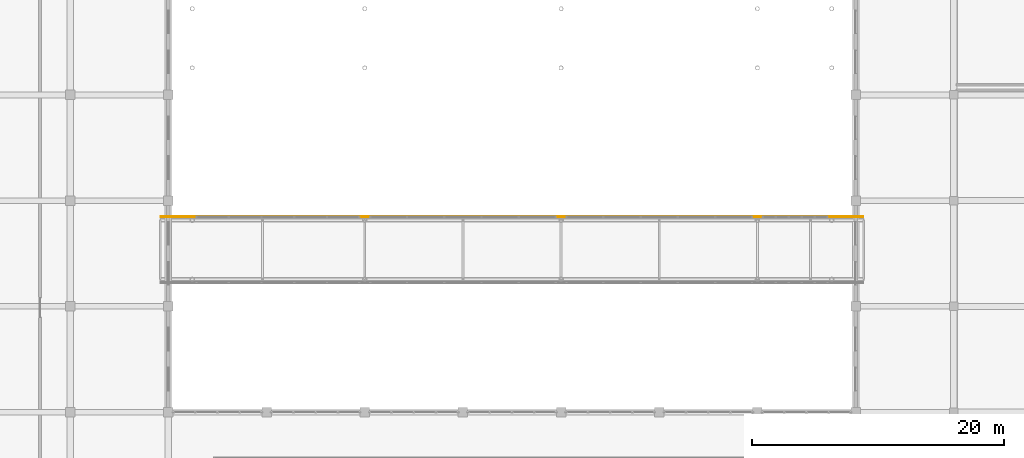
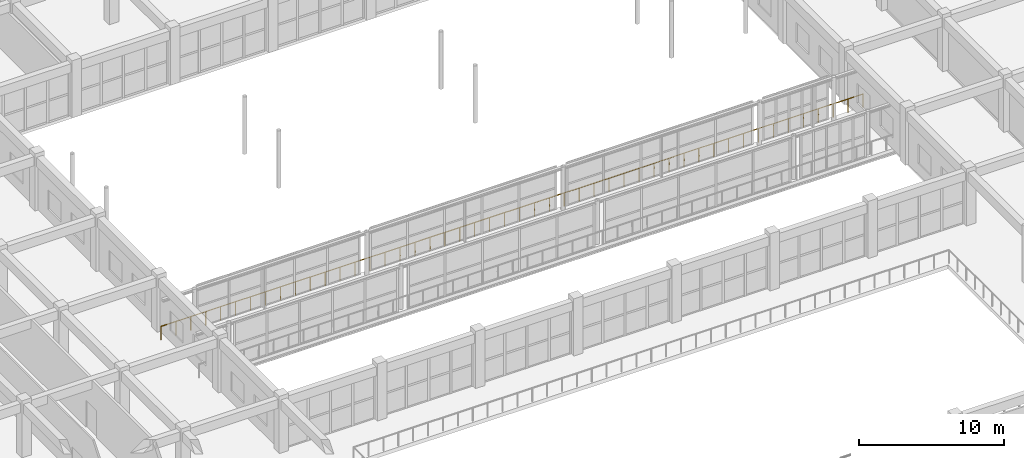
# One storey, part 173 of 175: 1 railing.
"""IFC4 building model written with IfcOpenShell, lengths in metres."""

from ifc_helpers import new_model, si_unit, direction, frame, origin, origin_2d, place, context, subcontext, project, spatial, hollow_rectangle, circle, extrude, material, material_profile, profile_set, type_object, element, save


model = new_model("IFC4")

# Units and contexts
model_context = context("Model", 3, precision=1e-05, world=origin(), true_north=direction((0.0, 1.0)))
body_context = subcontext(model_context, "Body", "Model", "MODEL_VIEW")
ifc_project = project(units=[si_unit("LENGTHUNIT", "METRE"), si_unit("AREAUNIT", "SQUARE_METRE"), si_unit("VOLUMEUNIT", "CUBIC_METRE"), si_unit("PLANEANGLEUNIT", "RADIAN"), si_unit("MASSUNIT", "GRAM", prefix="KILO")], contexts=[model_context])

# Site, building, storey
site_placement = place(None, origin())
site = spatial("IfcSite", under=ifc_project, at=site_placement, CompositionType="ELEMENT")
building_placement = place(site_placement, origin())
building = spatial("IfcBuilding", under=site, at=building_placement, Name="Zizhar Promenade General Hospital", CompositionType="ELEMENT")
storey_placement = place(building_placement, frame((0.0, 0.0, 4.800048828125)))
storey = spatial("IfcBuildingStorey", under=building, at=storey_placement, Name="L01", CompositionType="ELEMENT", Elevation=4.800048828125)

# Railing
ifc_material = material(Name="Steel S355", Category="steel")
ifc_material_profile = material_profile(ifc_material, hollow_rectangle(XDim=0.06005859375, YDim=0.1201171875, WallThickness=0.00390625, at=origin_2d()))
ifc_profile_set = profile_set([ifc_material_profile], Name="Steel S355")
railing_type = type_object("IfcRailingType", Name="RL-GUARD-EXT-1150", PredefinedType="GUARDRAIL", material=ifc_profile_set)
railing_placement = place(storey_placement, frame((69.60009765625, 65.919921875, 0.0)))
element("IfcRailing", 1, at=railing_placement, inside=storey, type_object=railing_type, Name="Perimeter Safety Guardrail L01-01", PredefinedType="GUARDRAIL", context=body_context, shape_type="SweptSolid", body=[
    extrude(circle(Radius=0.02392578125, at=origin_2d()), frame((0.0, 0.0, 1.1259765625), z_axis=(1.0, 0.0, 0.0), x_axis=(0.0, 1.0, 0.0)), (0.0, 0.0, 1.0), 55.7998046875),
    extrude(circle(Radius=0.02099609375, at=origin_2d()), origin(), (0.0, 0.0, 1.0), 1.101806640625),
    extrude(circle(Radius=0.02099609375, at=origin_2d()), frame((1.187255859375, 0.0, 0.0)), (0.0, 0.0, 1.0), 1.101806640625),
    extrude(circle(Radius=0.02099609375, at=origin_2d()), frame((2.37451171875, 0.0, 0.0)), (0.0, 0.0, 1.0), 1.101806640625),
    extrude(circle(Radius=0.02099609375, at=origin_2d()), frame((3.561767578125, 0.0, 0.0)), (0.0, 0.0, 1.0), 1.101806640625),
    extrude(circle(Radius=0.02099609375, at=origin_2d()), frame((4.7490234375, 0.0, 0.0)), (0.0, 0.0, 1.0), 1.101806640625),
    extrude(circle(Radius=0.02099609375, at=origin_2d()), frame((5.93603515625, 0.0, 0.0)), (0.0, 0.0, 1.0), 1.101806640625),
    extrude(circle(Radius=0.02099609375, at=origin_2d()), frame((7.123291015625, 0.0, 0.0)), (0.0, 0.0, 1.0), 1.101806640625),
    extrude(circle(Radius=0.02099609375, at=origin_2d()), frame((8.310546875, 0.0, 0.0)), (0.0, 0.0, 1.0), 1.101806640625),
    extrude(circle(Radius=0.02099609375, at=origin_2d()), frame((9.497802734375, 0.0, 0.0)), (0.0, 0.0, 1.0), 1.101806640625),
    extrude(circle(Radius=0.02099609375, at=origin_2d()), frame((10.68505859375, 0.0, 0.0)), (0.0, 0.0, 1.0), 1.101806640625),
    extrude(circle(Radius=0.02099609375, at=origin_2d()), frame((11.872314453125, 0.0, 0.0)), (0.0, 0.0, 1.0), 1.101806640625),
    extrude(circle(Radius=0.02099609375, at=origin_2d()), frame((13.0595703125, 0.0, 0.0)), (0.0, 0.0, 1.0), 1.101806640625),
    extrude(circle(Radius=0.02099609375, at=origin_2d()), frame((14.246826171875, 0.0, 0.0)), (0.0, 0.0, 1.0), 1.101806640625),
    extrude(circle(Radius=0.02099609375, at=origin_2d()), frame((15.43408203125, 0.0, 0.0)), (0.0, 0.0, 1.0), 1.101806640625),
    extrude(circle(Radius=0.02099609375, at=origin_2d()), frame((16.621337890625, 0.0, 0.0)), (0.0, 0.0, 1.0), 1.101806640625),
    extrude(circle(Radius=0.02099609375, at=origin_2d()), frame((17.808349609375, 0.0, 0.0)), (0.0, 0.0, 1.0), 1.101806640625),
    extrude(circle(Radius=0.02099609375, at=origin_2d()), frame((18.99560546875, 0.0, 0.0)), (0.0, 0.0, 1.0), 1.101806640625),
    extrude(circle(Radius=0.02099609375, at=origin_2d()), frame((20.182861328125, 0.0, 0.0)), (0.0, 0.0, 1.0), 1.101806640625),
    extrude(circle(Radius=0.02099609375, at=origin_2d()), frame((21.3701171875, 0.0, 0.0)), (0.0, 0.0, 1.0), 1.101806640625),
    extrude(circle(Radius=0.02099609375, at=origin_2d()), frame((22.557373046875, 0.0, 0.0)), (0.0, 0.0, 1.0), 1.101806640625),
    extrude(circle(Radius=0.02099609375, at=origin_2d()), frame((23.74462890625, 0.0, 0.0)), (0.0, 0.0, 1.0), 1.101806640625),
    extrude(circle(Radius=0.02099609375, at=origin_2d()), frame((24.931884765625, 0.0, 0.0)), (0.0, 0.0, 1.0), 1.101806640625),
    extrude(circle(Radius=0.02099609375, at=origin_2d()), frame((26.119140625, 0.0, 0.0)), (0.0, 0.0, 1.0), 1.101806640625),
    extrude(circle(Radius=0.02099609375, at=origin_2d()), frame((27.306396484375, 0.0, 0.0)), (0.0, 0.0, 1.0), 1.101806640625),
    extrude(circle(Radius=0.02099609375, at=origin_2d()), frame((28.493408203125, 0.0, 0.0)), (0.0, 0.0, 1.0), 1.101806640625),
    extrude(circle(Radius=0.02099609375, at=origin_2d()), frame((29.6806640625, 0.0, 0.0)), (0.0, 0.0, 1.0), 1.101806640625),
    extrude(circle(Radius=0.02099609375, at=origin_2d()), frame((30.867919921875, 0.0, 0.0)), (0.0, 0.0, 1.0), 1.101806640625),
    extrude(circle(Radius=0.02099609375, at=origin_2d()), frame((32.05517578125, 0.0, 0.0)), (0.0, 0.0, 1.0), 1.101806640625),
    extrude(circle(Radius=0.02099609375, at=origin_2d()), frame((33.242431640625, 0.0, 0.0)), (0.0, 0.0, 1.0), 1.101806640625),
    extrude(circle(Radius=0.02099609375, at=origin_2d()), frame((34.4296875, 0.0, 0.0)), (0.0, 0.0, 1.0), 1.101806640625),
    extrude(circle(Radius=0.02099609375, at=origin_2d()), frame((35.616943359375, 0.0, 0.0)), (0.0, 0.0, 1.0), 1.101806640625),
    extrude(circle(Radius=0.02099609375, at=origin_2d()), frame((36.80419921875, 0.0, 0.0)), (0.0, 0.0, 1.0), 1.101806640625),
    extrude(circle(Radius=0.02099609375, at=origin_2d()), frame((37.991455078125, 0.0, 0.0)), (0.0, 0.0, 1.0), 1.101806640625),
    extrude(circle(Radius=0.02099609375, at=origin_2d()), frame((39.178466796875, 0.0, 0.0)), (0.0, 0.0, 1.0), 1.101806640625),
    extrude(circle(Radius=0.02099609375, at=origin_2d()), frame((40.36572265625, 0.0, 0.0)), (0.0, 0.0, 1.0), 1.101806640625),
    extrude(circle(Radius=0.02099609375, at=origin_2d()), frame((41.552978515625, 0.0, 0.0)), (0.0, 0.0, 1.0), 1.101806640625),
    extrude(circle(Radius=0.02099609375, at=origin_2d()), frame((42.740234375, 0.0, 0.0)), (0.0, 0.0, 1.0), 1.101806640625),
    extrude(circle(Radius=0.02099609375, at=origin_2d()), frame((43.927490234375, 0.0, 0.0)), (0.0, 0.0, 1.0), 1.101806640625),
    extrude(circle(Radius=0.02099609375, at=origin_2d()), frame((45.11474609375, 0.0, 0.0)), (0.0, 0.0, 1.0), 1.101806640625),
    extrude(circle(Radius=0.02099609375, at=origin_2d()), frame((46.302001953125, 0.0, 0.0)), (0.0, 0.0, 1.0), 1.101806640625),
    extrude(circle(Radius=0.02099609375, at=origin_2d()), frame((47.4892578125, 0.0, 0.0)), (0.0, 0.0, 1.0), 1.101806640625),
    extrude(circle(Radius=0.02099609375, at=origin_2d()), frame((48.676513671875, 0.0, 0.0)), (0.0, 0.0, 1.0), 1.101806640625),
    extrude(circle(Radius=0.02099609375, at=origin_2d()), frame((49.86376953125, 0.0, 0.0)), (0.0, 0.0, 1.0), 1.101806640625),
    extrude(circle(Radius=0.02099609375, at=origin_2d()), frame((51.05078125, 0.0, 0.0)), (0.0, 0.0, 1.0), 1.101806640625),
    extrude(circle(Radius=0.02099609375, at=origin_2d()), frame((52.238037109375, 0.0, 0.0)), (0.0, 0.0, 1.0), 1.101806640625),
    extrude(circle(Radius=0.02099609375, at=origin_2d()), frame((53.42529296875, 0.0, 0.0)), (0.0, 0.0, 1.0), 1.101806640625),
    extrude(circle(Radius=0.02099609375, at=origin_2d()), frame((54.612548828125, 0.0, 0.0)), (0.0, 0.0, 1.0), 1.101806640625),
    extrude(circle(Radius=0.02099609375, at=origin_2d()), frame((55.7998046875, 0.0, 0.0)), (0.0, 0.0, 1.0), 1.101806640625),
])

save(model, "model.ifc")
